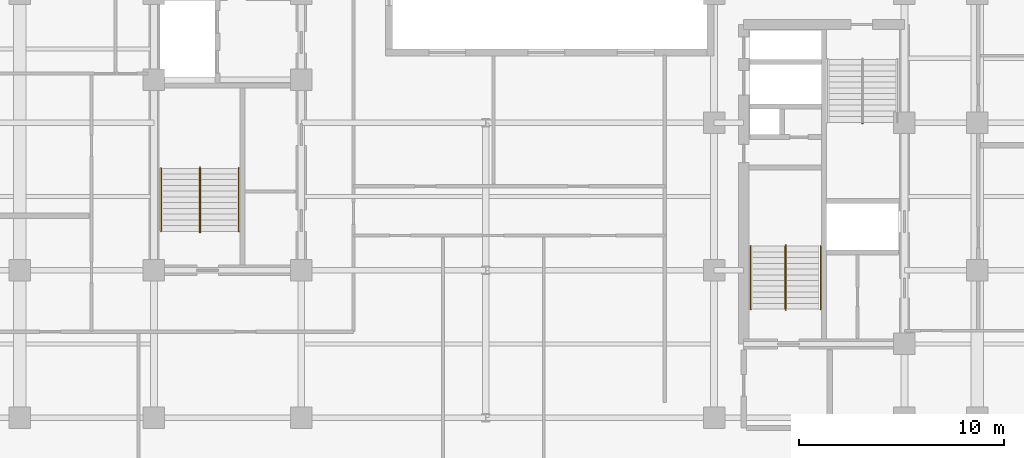
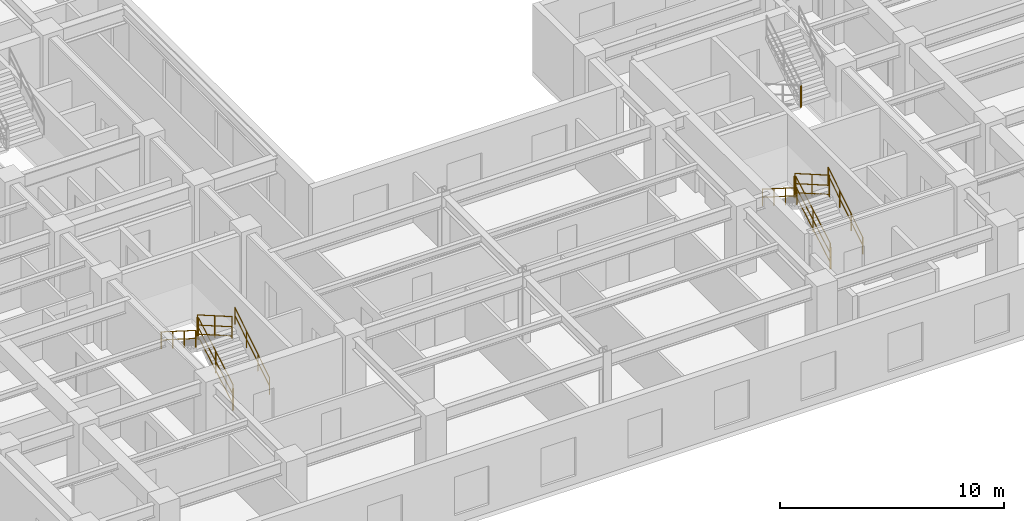
# One storey, part 8 of 10: 13 railings.
"""IFC4 building model written with IfcOpenShell, lengths in metres."""

from ifc_helpers import new_model, entity, si_unit, converted_unit, direction, frame, origin_with_axes, origin_2d_with_axis, place, context, subcontext, project, spatial, rectangle, circle, extrude, material, type_object, element, save


model = new_model("IFC4")

# Units and contexts
model_context = context("Model", 3, precision=1e-05, world=origin_with_axes(), true_north=direction((0.0, 1.0)))
body_context = subcontext(model_context, "Body", "Model", "MODEL_VIEW")
ifc_project = project(units=[si_unit("LENGTHUNIT", "METRE"), si_unit("AREAUNIT", "SQUARE_METRE"), si_unit("VOLUMEUNIT", "CUBIC_METRE"), converted_unit("PLANEANGLEUNIT", "DEGREE", entity("IfcPlaneAngleMeasure", 0.017453292519943295), si_unit("PLANEANGLEUNIT", "RADIAN"), dimensions=[0, 0, 0, 0, 0, 0, 0]), si_unit("MASSUNIT", "GRAM", prefix="KILO"), si_unit("THERMODYNAMICTEMPERATUREUNIT", "KELVIN")], contexts=[model_context])

# Site, building, storey
site_placement = place(None, origin_with_axes())
site = spatial("IfcSite", under=ifc_project, at=site_placement, CompositionType="ELEMENT")
building_placement = place(site_placement, origin_with_axes())
building = spatial("IfcBuilding", under=site, at=building_placement, Name="Varnlund Millrace Tower", CompositionType="ELEMENT")
storey_placement = place(building_placement, frame((0.0, 0.0, 156.3), z_axis=(0.0, 0.0, 1.0), x_axis=(1.0, 0.0, 0.0)))
storey = spatial("IfcBuildingStorey", under=building, at=storey_placement, Name="L38", CompositionType="ELEMENT", Elevation=156.3)

# Railings
ifc_material_1 = material(Name="Painted steel stair well balustrade guard", Category="steel")
railing_type_1 = type_object("IfcRailingType", Name="Type-StairGuard-1150", PredefinedType="GUARDRAIL", material=ifc_material_1)
railing_1_placement = place(storey_placement, frame((0.0, 0.0, -156.3), z_axis=(0.0, 0.0, 1.0), x_axis=(1.0, 0.0, 0.0)))
element("IfcRailing", 1, at=railing_1_placement, inside=storey, type_object=railing_type_1, Name="Type-StairGuard-1150", PredefinedType="GUARDRAIL", context=body_context, shape_type="SweptSolid", body=[
    extrude(circle(Radius=0.024, at=origin_2d_with_axis()), frame((13.675, 12.7, 157.627273), z_axis=(0.0, 0.866696, 0.498836), x_axis=(-1.0, 0.0, 0.0)), (0.0, 0.0, 1.0), 3.553725),
    extrude(circle(Radius=0.024, at=origin_2d_with_axis()), frame((13.675, 12.7, 156.577273), z_axis=(0.0, 0.866696, 0.498836), x_axis=(-1.0, 0.0, 0.0)), (0.0, 0.0, 1.0), 3.553725),
    extrude(circle(Radius=0.024, at=origin_2d_with_axis()), frame((13.675, 12.7, 157.075273), z_axis=(0.0, 0.866696, 0.498836), x_axis=(-1.0, 0.0, 0.0)), (0.0, 0.0, 1.0), 3.553725),
    extrude(rectangle(XDim=0.04, YDim=0.04, at=origin_2d_with_axis()), frame((13.675, 12.7, 156.437273), z_axis=(0.0, 0.0, 1.0), x_axis=(1.0, 0.0, 0.0)), (0.0, 0.0, 1.0), 1.19),
    extrude(rectangle(XDim=0.04, YDim=0.04, at=origin_2d_with_axis()), frame((13.675, 14.24, 157.323636), z_axis=(0.0, 0.0, 1.0), x_axis=(1.0, 0.0, 0.0)), (0.0, 0.0, 1.0), 1.19),
    extrude(rectangle(XDim=0.04, YDim=0.04, at=origin_2d_with_axis()), frame((13.675, 15.78, 158.21), z_axis=(0.0, 0.0, 1.0), x_axis=(1.0, 0.0, 0.0)), (0.0, 0.0, 1.0), 1.19),
])
railing_2_placement = place(storey_placement, frame((0.0, 0.0, -156.3), z_axis=(0.0, 0.0, 1.0), x_axis=(1.0, 0.0, 0.0)))
element("IfcRailing", 2, at=railing_2_placement, inside=storey, type_object=railing_type_1, Name="Type-StairGuard-1150", PredefinedType="GUARDRAIL", context=body_context, shape_type="SweptSolid", body=[
    extrude(circle(Radius=0.024, at=origin_2d_with_axis()), frame((13.625, 15.83, 159.4), z_axis=(1.0, 0.0, 0.0), x_axis=(0.0, 1.0, 0.0)), (0.0, 0.0, 1.0), 0.05),
    extrude(circle(Radius=0.024, at=origin_2d_with_axis()), frame((13.625, 15.83, 158.35), z_axis=(1.0, 0.0, 0.0), x_axis=(0.0, 1.0, 0.0)), (0.0, 0.0, 1.0), 0.05),
    extrude(circle(Radius=0.024, at=origin_2d_with_axis()), frame((13.625, 15.83, 158.848), z_axis=(1.0, 0.0, 0.0), x_axis=(0.0, 1.0, 0.0)), (0.0, 0.0, 1.0), 0.05),
    extrude(rectangle(XDim=0.04, YDim=0.04, at=origin_2d_with_axis()), frame((13.625, 15.83, 158.21), z_axis=(0.0, 0.0, 1.0), x_axis=(1.0, 0.0, 0.0)), (0.0, 0.0, 1.0), 1.19),
    extrude(rectangle(XDim=0.04, YDim=0.04, at=origin_2d_with_axis()), frame((13.675, 15.83, 158.21), z_axis=(0.0, 0.0, 1.0), x_axis=(1.0, 0.0, 0.0)), (0.0, 0.0, 1.0), 1.19),
])
railing_3_placement = place(storey_placement, frame((0.0, 0.0, -156.3), z_axis=(0.0, 0.0, 1.0), x_axis=(1.0, 0.0, 0.0)))
element("IfcRailing", 3, at=railing_3_placement, inside=storey, type_object=railing_type_1, Name="Type-StairGuard-1150", PredefinedType="GUARDRAIL", context=body_context, shape_type="SweptSolid", body=[
    extrude(circle(Radius=0.024, at=origin_2d_with_axis()), frame((13.625, 15.78, 159.577273), z_axis=(0.0, -0.866696, 0.498836), x_axis=(1.0, 0.0, 0.0)), (0.0, 0.0, 1.0), 3.553725),
    extrude(circle(Radius=0.024, at=origin_2d_with_axis()), frame((13.625, 15.78, 158.527273), z_axis=(0.0, -0.866696, 0.498836), x_axis=(1.0, 0.0, 0.0)), (0.0, 0.0, 1.0), 3.553725),
    extrude(circle(Radius=0.024, at=origin_2d_with_axis()), frame((13.625, 15.78, 159.025273), z_axis=(0.0, -0.866696, 0.498836), x_axis=(1.0, 0.0, 0.0)), (0.0, 0.0, 1.0), 3.553725),
    extrude(rectangle(XDim=0.04, YDim=0.04, at=origin_2d_with_axis()), frame((13.625, 15.78, 158.387273), z_axis=(0.0, 0.0, 1.0), x_axis=(1.0, 0.0, 0.0)), (0.0, 0.0, 1.0), 1.19),
    extrude(rectangle(XDim=0.04, YDim=0.04, at=origin_2d_with_axis()), frame((13.625, 14.24, 159.273637), z_axis=(0.0, 0.0, 1.0), x_axis=(1.0, 0.0, 0.0)), (0.0, 0.0, 1.0), 1.19),
    extrude(rectangle(XDim=0.04, YDim=0.04, at=origin_2d_with_axis()), frame((13.625, 12.7, 160.16), z_axis=(0.0, 0.0, 1.0), x_axis=(1.0, 0.0, 0.0)), (0.0, 0.0, 1.0), 1.19),
])
railing_4_placement = place(storey_placement, frame((0.0, 0.0, -156.3), z_axis=(0.0, 0.0, 1.0), x_axis=(1.0, 0.0, 0.0)))
element("IfcRailing", 4, at=railing_4_placement, inside=storey, type_object=railing_type_1, Name="Type-StairGuard-1150", PredefinedType="GUARDRAIL", context=body_context, shape_type="SweptSolid", body=[
    extrude(circle(Radius=0.024, at=origin_2d_with_axis()), frame((13.625, 12.65, 157.45), z_axis=(1.0, 0.0, 0.0), x_axis=(0.0, 1.0, 0.0)), (0.0, 0.0, 1.0), 0.05),
    extrude(circle(Radius=0.024, at=origin_2d_with_axis()), frame((13.625, 12.65, 156.4), z_axis=(1.0, 0.0, 0.0), x_axis=(0.0, 1.0, 0.0)), (0.0, 0.0, 1.0), 0.05),
    extrude(circle(Radius=0.024, at=origin_2d_with_axis()), frame((13.625, 12.65, 156.898), z_axis=(1.0, 0.0, 0.0), x_axis=(0.0, 1.0, 0.0)), (0.0, 0.0, 1.0), 0.05),
    extrude(rectangle(XDim=0.04, YDim=0.04, at=origin_2d_with_axis()), frame((13.625, 12.65, 156.26), z_axis=(0.0, 0.0, 1.0), x_axis=(1.0, 0.0, 0.0)), (0.0, 0.0, 1.0), 1.19),
    extrude(rectangle(XDim=0.04, YDim=0.04, at=origin_2d_with_axis()), frame((13.675, 12.65, 156.26), z_axis=(0.0, 0.0, 1.0), x_axis=(1.0, 0.0, 0.0)), (0.0, 0.0, 1.0), 1.19),
])
railing_5_placement = place(storey_placement, frame((0.0, 0.0, -156.3), z_axis=(0.0, 0.0, 1.0), x_axis=(1.0, 0.0, 0.0)))
element("IfcRailing", 5, at=railing_5_placement, inside=storey, type_object=railing_type_1, Name="Type-StairGuard-1150", PredefinedType="GUARDRAIL", context=body_context, shape_type="SweptSolid", body=[
    extrude(circle(Radius=0.024, at=origin_2d_with_axis()), frame((42.275, 8.9, 157.627273), z_axis=(0.0, 0.866696, 0.498836), x_axis=(-1.0, 0.0, 0.0)), (0.0, 0.0, 1.0), 3.553725),
    extrude(circle(Radius=0.024, at=origin_2d_with_axis()), frame((42.275, 8.9, 156.577273), z_axis=(0.0, 0.866696, 0.498836), x_axis=(-1.0, 0.0, 0.0)), (0.0, 0.0, 1.0), 3.553725),
    extrude(circle(Radius=0.024, at=origin_2d_with_axis()), frame((42.275, 8.9, 157.075273), z_axis=(0.0, 0.866696, 0.498836), x_axis=(-1.0, 0.0, 0.0)), (0.0, 0.0, 1.0), 3.553725),
    extrude(rectangle(XDim=0.04, YDim=0.04, at=origin_2d_with_axis()), frame((42.275, 8.9, 156.437273), z_axis=(0.0, 0.0, 1.0), x_axis=(1.0, 0.0, 0.0)), (0.0, 0.0, 1.0), 1.19),
    extrude(rectangle(XDim=0.04, YDim=0.04, at=origin_2d_with_axis()), frame((42.275, 10.44, 157.323636), z_axis=(0.0, 0.0, 1.0), x_axis=(1.0, 0.0, 0.0)), (0.0, 0.0, 1.0), 1.19),
    extrude(rectangle(XDim=0.04, YDim=0.04, at=origin_2d_with_axis()), frame((42.275, 11.98, 158.21), z_axis=(0.0, 0.0, 1.0), x_axis=(1.0, 0.0, 0.0)), (0.0, 0.0, 1.0), 1.19),
])
railing_6_placement = place(storey_placement, frame((0.0, 0.0, -156.3), z_axis=(0.0, 0.0, 1.0), x_axis=(1.0, 0.0, 0.0)))
element("IfcRailing", 6, at=railing_6_placement, inside=storey, type_object=railing_type_1, Name="Type-StairGuard-1150", PredefinedType="GUARDRAIL", context=body_context, shape_type="SweptSolid", body=[
    extrude(circle(Radius=0.024, at=origin_2d_with_axis()), frame((42.225, 12.03, 159.4), z_axis=(1.0, 0.0, 0.0), x_axis=(0.0, 1.0, 0.0)), (0.0, 0.0, 1.0), 0.05),
    extrude(circle(Radius=0.024, at=origin_2d_with_axis()), frame((42.225, 12.03, 158.35), z_axis=(1.0, 0.0, 0.0), x_axis=(0.0, 1.0, 0.0)), (0.0, 0.0, 1.0), 0.05),
    extrude(circle(Radius=0.024, at=origin_2d_with_axis()), frame((42.225, 12.03, 158.848), z_axis=(1.0, 0.0, 0.0), x_axis=(0.0, 1.0, 0.0)), (0.0, 0.0, 1.0), 0.05),
    extrude(rectangle(XDim=0.04, YDim=0.04, at=origin_2d_with_axis()), frame((42.225, 12.03, 158.21), z_axis=(0.0, 0.0, 1.0), x_axis=(1.0, 0.0, 0.0)), (0.0, 0.0, 1.0), 1.19),
    extrude(rectangle(XDim=0.04, YDim=0.04, at=origin_2d_with_axis()), frame((42.275, 12.03, 158.21), z_axis=(0.0, 0.0, 1.0), x_axis=(1.0, 0.0, 0.0)), (0.0, 0.0, 1.0), 1.19),
])
railing_7_placement = place(storey_placement, frame((0.0, 0.0, -156.3), z_axis=(0.0, 0.0, 1.0), x_axis=(1.0, 0.0, 0.0)))
element("IfcRailing", 7, at=railing_7_placement, inside=storey, type_object=railing_type_1, Name="Type-StairGuard-1150", PredefinedType="GUARDRAIL", context=body_context, shape_type="SweptSolid", body=[
    extrude(circle(Radius=0.024, at=origin_2d_with_axis()), frame((42.225, 11.98, 159.577273), z_axis=(0.0, -0.866696, 0.498836), x_axis=(1.0, 0.0, 0.0)), (0.0, 0.0, 1.0), 3.553725),
    extrude(circle(Radius=0.024, at=origin_2d_with_axis()), frame((42.225, 11.98, 158.527273), z_axis=(0.0, -0.866696, 0.498836), x_axis=(1.0, 0.0, 0.0)), (0.0, 0.0, 1.0), 3.553725),
    extrude(circle(Radius=0.024, at=origin_2d_with_axis()), frame((42.225, 11.98, 159.025273), z_axis=(0.0, -0.866696, 0.498836), x_axis=(1.0, 0.0, 0.0)), (0.0, 0.0, 1.0), 3.553725),
    extrude(rectangle(XDim=0.04, YDim=0.04, at=origin_2d_with_axis()), frame((42.225, 11.98, 158.387273), z_axis=(0.0, 0.0, 1.0), x_axis=(1.0, 0.0, 0.0)), (0.0, 0.0, 1.0), 1.19),
    extrude(rectangle(XDim=0.04, YDim=0.04, at=origin_2d_with_axis()), frame((42.225, 10.44, 159.273637), z_axis=(0.0, 0.0, 1.0), x_axis=(1.0, 0.0, 0.0)), (0.0, 0.0, 1.0), 1.19),
    extrude(rectangle(XDim=0.04, YDim=0.04, at=origin_2d_with_axis()), frame((42.225, 8.9, 160.16), z_axis=(0.0, 0.0, 1.0), x_axis=(1.0, 0.0, 0.0)), (0.0, 0.0, 1.0), 1.19),
])
railing_8_placement = place(storey_placement, frame((0.0, 0.0, -156.3), z_axis=(0.0, 0.0, 1.0), x_axis=(1.0, 0.0, 0.0)))
element("IfcRailing", 8, at=railing_8_placement, inside=storey, type_object=railing_type_1, Name="Type-StairGuard-1150", PredefinedType="GUARDRAIL", context=body_context, shape_type="SweptSolid", body=[
    extrude(circle(Radius=0.024, at=origin_2d_with_axis()), frame((42.225, 8.85, 157.45), z_axis=(1.0, 0.0, 0.0), x_axis=(0.0, 1.0, 0.0)), (0.0, 0.0, 1.0), 0.05),
    extrude(circle(Radius=0.024, at=origin_2d_with_axis()), frame((42.225, 8.85, 156.4), z_axis=(1.0, 0.0, 0.0), x_axis=(0.0, 1.0, 0.0)), (0.0, 0.0, 1.0), 0.05),
    extrude(circle(Radius=0.024, at=origin_2d_with_axis()), frame((42.225, 8.85, 156.898), z_axis=(1.0, 0.0, 0.0), x_axis=(0.0, 1.0, 0.0)), (0.0, 0.0, 1.0), 0.05),
    extrude(rectangle(XDim=0.04, YDim=0.04, at=origin_2d_with_axis()), frame((42.225, 8.85, 156.26), z_axis=(0.0, 0.0, 1.0), x_axis=(1.0, 0.0, 0.0)), (0.0, 0.0, 1.0), 1.19),
    extrude(rectangle(XDim=0.04, YDim=0.04, at=origin_2d_with_axis()), frame((42.275, 8.85, 156.26), z_axis=(0.0, 0.0, 1.0), x_axis=(1.0, 0.0, 0.0)), (0.0, 0.0, 1.0), 1.19),
])
railing_9_placement = place(storey_placement, frame((0.0, 0.0, -156.3), z_axis=(0.0, 0.0, 1.0), x_axis=(1.0, 0.0, 0.0)))
element("IfcRailing", 9, at=railing_9_placement, inside=storey, type_object=railing_type_1, Name="Type-StairGuard-1150", PredefinedType="GUARDRAIL", context=body_context, shape_type="SweptSolid", body=[
    extrude(circle(Radius=0.024, at=origin_2d_with_axis()), frame((46.025, 17.97, 159.4), z_axis=(-1.0, 0.0, 0.0), x_axis=(0.0, -1.0, 0.0)), (0.0, 0.0, 1.0), 0.05),
    extrude(circle(Radius=0.024, at=origin_2d_with_axis()), frame((46.025, 17.97, 158.35), z_axis=(-1.0, 0.0, 0.0), x_axis=(0.0, -1.0, 0.0)), (0.0, 0.0, 1.0), 0.05),
    extrude(circle(Radius=0.024, at=origin_2d_with_axis()), frame((46.025, 17.97, 158.848), z_axis=(-1.0, 0.0, 0.0), x_axis=(0.0, -1.0, 0.0)), (0.0, 0.0, 1.0), 0.05),
    extrude(rectangle(XDim=0.04, YDim=0.04, at=origin_2d_with_axis()), frame((46.025, 17.97, 158.21), z_axis=(0.0, 0.0, 1.0), x_axis=(1.0, 0.0, 0.0)), (0.0, 0.0, 1.0), 1.19),
    extrude(rectangle(XDim=0.04, YDim=0.04, at=origin_2d_with_axis()), frame((45.975, 17.97, 158.21), z_axis=(0.0, 0.0, 1.0), x_axis=(1.0, 0.0, 0.0)), (0.0, 0.0, 1.0), 1.19),
])
ifc_material_2 = material(Name="Brushed architectural bronze stair handrail", Category="aluminium")
railing_type_2 = type_object("IfcRailingType", Name="Type-StairHandrail-900", PredefinedType="HANDRAIL", material=ifc_material_2)
railing_10_placement = place(storey_placement, frame((0.0, 0.0, -156.3), z_axis=(0.0, 0.0, 1.0), x_axis=(1.0, 0.0, 0.0)))
element("IfcRailing", 10, at=railing_10_placement, inside=storey, type_object=railing_type_2, Name="Type-StairHandrail-900", PredefinedType="HANDRAIL", context=body_context, shape_type="SweptSolid", body=[
    extrude(circle(Radius=0.024, at=origin_2d_with_axis()), frame((15.55, 12.7, 157.356995), z_axis=(0.0, 0.844902, 0.534922), x_axis=(-1.0, 0.0, 0.0)), (0.0, 0.0, 1.0), 3.645394),
    extrude(circle(Radius=0.024, at=origin_2d_with_axis()), frame((15.55, 12.7, 156.917134), z_axis=(0.0, 0.844902, 0.534922), x_axis=(-1.0, 0.0, 0.0)), (0.0, 0.0, 1.0), 3.645394),
    extrude(rectangle(XDim=0.04, YDim=0.04, at=origin_2d_with_axis()), frame((15.55, 12.7, 156.437273), z_axis=(0.0, 0.0, 1.0), x_axis=(1.0, 0.0, 0.0)), (0.0, 0.0, 1.0), 0.919722),
    extrude(rectangle(XDim=0.04, YDim=0.04, at=origin_2d_with_axis()), frame((15.55, 13.726667, 157.087273), z_axis=(0.0, 0.0, 1.0), x_axis=(1.0, 0.0, 0.0)), (0.0, 0.0, 1.0), 0.919722),
    extrude(rectangle(XDim=0.04, YDim=0.04, at=origin_2d_with_axis()), frame((15.55, 14.753333, 157.737273), z_axis=(0.0, 0.0, 1.0), x_axis=(1.0, 0.0, 0.0)), (0.0, 0.0, 1.0), 0.919722),
    extrude(rectangle(XDim=0.04, YDim=0.04, at=origin_2d_with_axis()), frame((15.55, 15.78, 158.387273), z_axis=(0.0, 0.0, 1.0), x_axis=(1.0, 0.0, 0.0)), (0.0, 0.0, 1.0), 0.919722),
])
railing_11_placement = place(storey_placement, frame((0.0, 0.0, -156.3), z_axis=(0.0, 0.0, 1.0), x_axis=(1.0, 0.0, 0.0)))
element("IfcRailing", 11, at=railing_11_placement, inside=storey, type_object=railing_type_2, Name="Type-StairHandrail-900", PredefinedType="HANDRAIL", context=body_context, shape_type="SweptSolid", body=[
    extrude(circle(Radius=0.024, at=origin_2d_with_axis()), frame((11.75, 15.78, 159.306995), z_axis=(0.0, -0.844902, 0.534922), x_axis=(1.0, 0.0, 0.0)), (0.0, 0.0, 1.0), 3.645394),
    extrude(circle(Radius=0.024, at=origin_2d_with_axis()), frame((11.75, 15.78, 158.867134), z_axis=(0.0, -0.844902, 0.534922), x_axis=(1.0, 0.0, 0.0)), (0.0, 0.0, 1.0), 3.645394),
    extrude(rectangle(XDim=0.04, YDim=0.04, at=origin_2d_with_axis()), frame((11.75, 15.78, 158.387273), z_axis=(0.0, 0.0, 1.0), x_axis=(1.0, 0.0, 0.0)), (0.0, 0.0, 1.0), 0.919722),
    extrude(rectangle(XDim=0.04, YDim=0.04, at=origin_2d_with_axis()), frame((11.75, 14.753333, 159.037273), z_axis=(0.0, 0.0, 1.0), x_axis=(1.0, 0.0, 0.0)), (0.0, 0.0, 1.0), 0.919722),
    extrude(rectangle(XDim=0.04, YDim=0.04, at=origin_2d_with_axis()), frame((11.75, 13.726667, 159.687273), z_axis=(0.0, 0.0, 1.0), x_axis=(1.0, 0.0, 0.0)), (0.0, 0.0, 1.0), 0.919722),
    extrude(rectangle(XDim=0.04, YDim=0.04, at=origin_2d_with_axis()), frame((11.75, 12.7, 160.337273), z_axis=(0.0, 0.0, 1.0), x_axis=(1.0, 0.0, 0.0)), (0.0, 0.0, 1.0), 0.919722),
])
railing_12_placement = place(storey_placement, frame((0.0, 0.0, -156.3), z_axis=(0.0, 0.0, 1.0), x_axis=(1.0, 0.0, 0.0)))
element("IfcRailing", 12, at=railing_12_placement, inside=storey, type_object=railing_type_2, Name="Type-StairHandrail-900", PredefinedType="HANDRAIL", context=body_context, shape_type="SweptSolid", body=[
    extrude(circle(Radius=0.024, at=origin_2d_with_axis()), frame((43.95, 8.9, 157.356995), z_axis=(0.0, 0.844902, 0.534922), x_axis=(-1.0, 0.0, 0.0)), (0.0, 0.0, 1.0), 3.645394),
    extrude(circle(Radius=0.024, at=origin_2d_with_axis()), frame((43.95, 8.9, 156.917134), z_axis=(0.0, 0.844902, 0.534922), x_axis=(-1.0, 0.0, 0.0)), (0.0, 0.0, 1.0), 3.645394),
    extrude(rectangle(XDim=0.04, YDim=0.04, at=origin_2d_with_axis()), frame((43.95, 8.9, 156.437273), z_axis=(0.0, 0.0, 1.0), x_axis=(1.0, 0.0, 0.0)), (0.0, 0.0, 1.0), 0.919722),
    extrude(rectangle(XDim=0.04, YDim=0.04, at=origin_2d_with_axis()), frame((43.95, 9.926667, 157.087273), z_axis=(0.0, 0.0, 1.0), x_axis=(1.0, 0.0, 0.0)), (0.0, 0.0, 1.0), 0.919722),
    extrude(rectangle(XDim=0.04, YDim=0.04, at=origin_2d_with_axis()), frame((43.95, 10.953333, 157.737273), z_axis=(0.0, 0.0, 1.0), x_axis=(1.0, 0.0, 0.0)), (0.0, 0.0, 1.0), 0.919722),
    extrude(rectangle(XDim=0.04, YDim=0.04, at=origin_2d_with_axis()), frame((43.95, 11.98, 158.387273), z_axis=(0.0, 0.0, 1.0), x_axis=(1.0, 0.0, 0.0)), (0.0, 0.0, 1.0), 0.919722),
])
railing_13_placement = place(storey_placement, frame((0.0, 0.0, -156.3), z_axis=(0.0, 0.0, 1.0), x_axis=(1.0, 0.0, 0.0)))
element("IfcRailing", 13, at=railing_13_placement, inside=storey, type_object=railing_type_2, Name="Type-StairHandrail-900", PredefinedType="HANDRAIL", context=body_context, shape_type="SweptSolid", body=[
    extrude(circle(Radius=0.024, at=origin_2d_with_axis()), frame((40.55, 11.98, 159.306995), z_axis=(0.0, -0.844902, 0.534922), x_axis=(1.0, 0.0, 0.0)), (0.0, 0.0, 1.0), 3.645394),
    extrude(circle(Radius=0.024, at=origin_2d_with_axis()), frame((40.55, 11.98, 158.867134), z_axis=(0.0, -0.844902, 0.534922), x_axis=(1.0, 0.0, 0.0)), (0.0, 0.0, 1.0), 3.645394),
    extrude(rectangle(XDim=0.04, YDim=0.04, at=origin_2d_with_axis()), frame((40.55, 11.98, 158.387273), z_axis=(0.0, 0.0, 1.0), x_axis=(1.0, 0.0, 0.0)), (0.0, 0.0, 1.0), 0.919722),
    extrude(rectangle(XDim=0.04, YDim=0.04, at=origin_2d_with_axis()), frame((40.55, 10.953333, 159.037273), z_axis=(0.0, 0.0, 1.0), x_axis=(1.0, 0.0, 0.0)), (0.0, 0.0, 1.0), 0.919722),
    extrude(rectangle(XDim=0.04, YDim=0.04, at=origin_2d_with_axis()), frame((40.55, 9.926667, 159.687273), z_axis=(0.0, 0.0, 1.0), x_axis=(1.0, 0.0, 0.0)), (0.0, 0.0, 1.0), 0.919722),
    extrude(rectangle(XDim=0.04, YDim=0.04, at=origin_2d_with_axis()), frame((40.55, 8.9, 160.337273), z_axis=(0.0, 0.0, 1.0), x_axis=(1.0, 0.0, 0.0)), (0.0, 0.0, 1.0), 0.919722),
])

save(model, "model.ifc")
